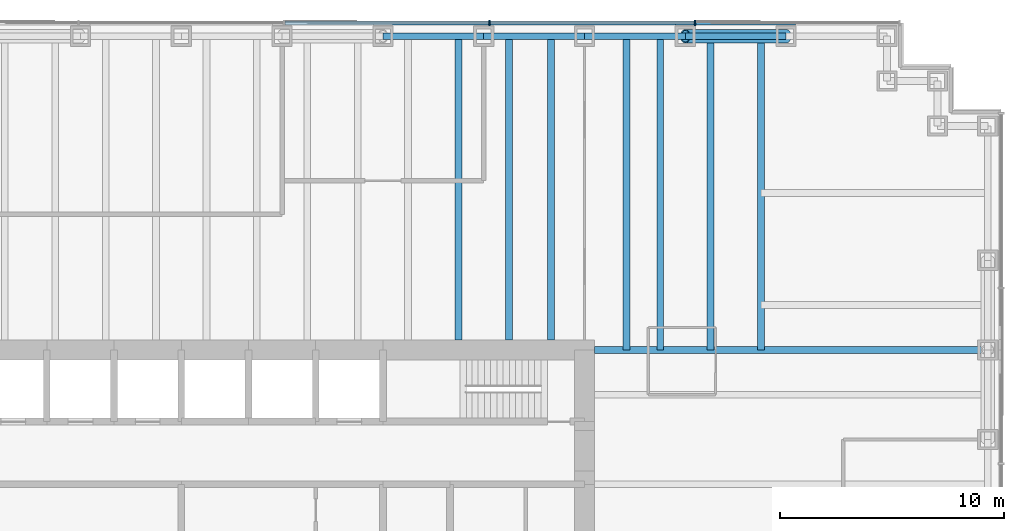
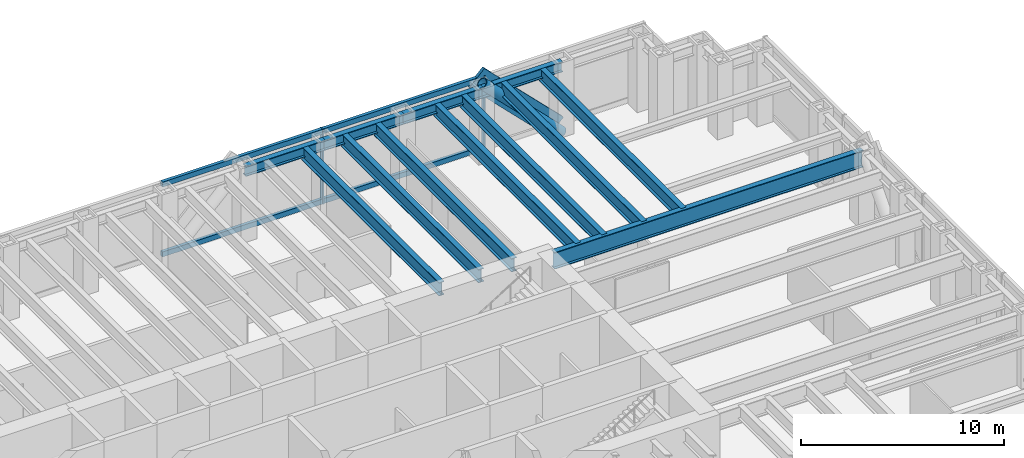
# One storey, part 6 of 13: 12 beams, 8 members, 1 element without a shape of its own.
"""IFC4 building model written with IfcOpenShell, lengths in metres."""

from ifc_helpers import new_model, si_unit, direction, frame, origin, origin_2d, place, context, subcontext, project, spatial, rectangle, hollow_circle, i_section, extrude, material, material_profile, profile_set, type_object, element, aggregate, save


model = new_model("IFC4")

# Units and contexts
model_context = context("Model", 3, precision=1e-05, world=origin(), true_north=direction((0.0, 1.0)))
body_context = subcontext(model_context, "Body", "Model", "MODEL_VIEW")
ifc_project = project(units=[si_unit("LENGTHUNIT", "METRE"), si_unit("AREAUNIT", "SQUARE_METRE"), si_unit("VOLUMEUNIT", "CUBIC_METRE"), si_unit("PLANEANGLEUNIT", "RADIAN"), si_unit("MASSUNIT", "GRAM", prefix="KILO")], contexts=[model_context])

# Site, building, storey
site_placement = place(None, origin())
site = spatial("IfcSite", under=ifc_project, at=site_placement, CompositionType="ELEMENT")
building_placement = place(site_placement, origin())
building = spatial("IfcBuilding", under=site, at=building_placement, Name="Rheinbord Bourse Tower", CompositionType="ELEMENT")
storey_placement = place(building_placement, frame((0.0, 0.0, 68.0)))
storey = spatial("IfcBuildingStorey", under=building, at=storey_placement, Name="L14", CompositionType="ELEMENT", Elevation=68.0)

# Curtain wall, members
ifc_material_1 = material(Name="Dark glass and black aluminium", Category="aluminium")
curtain_wall_type = type_object("IfcCurtainWallType", Name="CW1 DARK GLASS CURTAIN WALL", PredefinedType="USERDEFINED", material=ifc_material_1)
curtain_wall_placement = place(storey_placement, origin())
curtain_wall = element("IfcCurtainWall", 1, at=curtain_wall_placement, inside=storey, type_object=curtain_wall_type, Name="Curtain wall CW1 N L14", ObjectType="UNITISED CURTAIN WALL", PredefinedType="USERDEFINED")
ifc_material_2 = material(Name="Black anodised aluminium", Category="aluminium")
ifc_material_profile_1 = material_profile(ifc_material_2, rectangle(XDim=0.179931640625, YDim=1.2099609375, at=origin_2d()), Name="CW1 DIAGONAL MULLION 1210x180")
ifc_profile_set_1 = profile_set([ifc_material_profile_1], Name="Black anodised aluminium")
member_type_1 = type_object("IfcMemberType", Name="CW1 BLACK DIAGONAL MULLION", PredefinedType="USERDEFINED", material=ifc_profile_set_1)
member_1_placement = place(storey_placement, frame((63.0, 46.60009765625, 0.0), z_axis=(-0.707106781187, 0.0, 0.707106781187), x_axis=(0.0, -1.0, 0.0)))
member_1 = element("IfcMember", 2, at=member_1_placement, type_object=member_type_1, Name="CW1 diagonal mullion a", ObjectType="DIAGONAL MULLION", PredefinedType="USERDEFINED", context=body_context, shape_type="SweptSolid", body=[
    extrude(rectangle(XDim=0.179931640625, YDim=1.2099609375, at=origin_2d()), origin(), (0.0, 0.0, 1.0), 6.364013671875),
])
ifc_material_3 = material(Name="Black anodised aluminium", Category="aluminium")
ifc_material_profile_2 = material_profile(ifc_material_3, rectangle(XDim=0.25, YDim=0.080078125, at=origin_2d()), Name="CW1 MULLION 80x250")
ifc_profile_set_2 = profile_set([ifc_material_profile_2], Name="Black anodised aluminium")
member_type_2 = type_object("IfcMemberType", Name="CW1 BLACK MULLION", PredefinedType="MULLION", material=ifc_profile_set_2)
member_2_placement = place(storey_placement, frame((58.928466796875, 46.60009765625, 0.0), z_axis=(0.0, 0.0, 1.0), x_axis=(0.0, -1.0, 0.0)))
member_2 = element("IfcMember", 3, at=member_2_placement, type_object=member_type_2, Name="CW1 mullion 2", PredefinedType="MULLION", context=body_context, shape_type="SweptSolid", body=[
    extrude(rectangle(XDim=0.25, YDim=0.080078125, at=origin_2d()), origin(), (0.0, 0.0, 1.0), 4.5),
])
member_3_placement = place(storey_placement, frame((49.757080078125, 46.60009765625, 0.0), z_axis=(0.0, 0.0, 1.0), x_axis=(0.0, -1.0, 0.0)))
member_3 = element("IfcMember", 4, at=member_3_placement, type_object=member_type_2, Name="CW1 mullion 3", PredefinedType="MULLION", context=body_context, shape_type="SweptSolid", body=[
    extrude(rectangle(XDim=0.25, YDim=0.080078125, at=origin_2d()), origin(), (0.0, 0.0, 1.0), 4.5),
])
ifc_material_4 = material(Name="Black anodised aluminium", Category="aluminium")
ifc_material_profile_3 = material_profile(ifc_material_4, rectangle(XDim=0.179931640625, YDim=0.300048828125, at=origin_2d()), Name="CW1 TRANSOM 300x180")
ifc_profile_set_3 = profile_set([ifc_material_profile_3], Name="Black anodised aluminium")
member_type_3 = type_object("IfcMemberType", Name="CW1 BLACK TRANSOM", PredefinedType="USERDEFINED", material=ifc_profile_set_3)
member_4_placement = place(storey_placement, frame((58.888671875, 46.60009765625, 0.14990234375), z_axis=(-1.0, 0.0, 0.0), x_axis=(0.0, -1.0, 0.0)))
member_4 = element("IfcMember", 5, at=member_4_placement, type_object=member_type_3, Name="CW1 transom 2.1", ObjectType="TRANSOM", PredefinedType="USERDEFINED", context=body_context, shape_type="SweptSolid", body=[
    extrude(rectangle(XDim=0.179931640625, YDim=0.300048828125, at=origin_2d()), origin(), (0.0, 0.0, 1.0), 9.091552734375),
])
member_5_placement = place(storey_placement, frame((58.888671875, 46.60009765625, 4.35009765625), z_axis=(-1.0, 0.0, 0.0), x_axis=(0.0, -1.0, 0.0)))
member_5 = element("IfcMember", 6, at=member_5_placement, type_object=member_type_3, Name="CW1 transom 2.2", ObjectType="TRANSOM", PredefinedType="USERDEFINED", context=body_context, shape_type="SweptSolid", body=[
    extrude(rectangle(XDim=0.179931640625, YDim=0.300048828125, at=origin_2d()), origin(), (0.0, 0.0, 1.0), 9.091552734375),
])
member_6_placement = place(storey_placement, frame((49.717041015625, 46.60009765625, 0.14990234375), z_axis=(-1.0, 0.0, 0.0), x_axis=(0.0, -1.0, 0.0)))
member_6 = element("IfcMember", 7, at=member_6_placement, type_object=member_type_3, Name="CW1 transom 3.1", ObjectType="TRANSOM", PredefinedType="USERDEFINED", context=body_context, shape_type="SweptSolid", body=[
    extrude(rectangle(XDim=0.179931640625, YDim=0.300048828125, at=origin_2d()), origin(), (0.0, 0.0, 1.0), 9.09130859375),
])
member_7_placement = place(storey_placement, frame((49.717041015625, 46.60009765625, 4.35009765625), z_axis=(-1.0, 0.0, 0.0), x_axis=(0.0, -1.0, 0.0)))
member_7 = element("IfcMember", 8, at=member_7_placement, type_object=member_type_3, Name="CW1 transom 3.2", ObjectType="TRANSOM", PredefinedType="USERDEFINED", context=body_context, shape_type="SweptSolid", body=[
    extrude(rectangle(XDim=0.179931640625, YDim=0.300048828125, at=origin_2d()), origin(), (0.0, 0.0, 1.0), 9.09130859375),
])
aggregate(curtain_wall, [member_2, member_3, member_4, member_5, member_6, member_7, member_1])

# Beams
ifc_material_5 = material(Name="Steel S460", Category="steel")
ifc_material_profile_4 = material_profile(ifc_material_5, i_section(OverallWidth=0.300048828125, OverallDepth=0.800048828125, WebThickness=0.017578125, FlangeThickness=0.032958984375, at=origin_2d()), Name="HEB 800")
ifc_profile_set_4 = profile_set([ifc_material_profile_4], Name="Steel S460")
beam_type_1 = type_object("IfcBeamType", Name="FLOOR BEAM HEB 800", PredefinedType="BEAM", material=ifc_profile_set_4)
for number, where, z_axis, x_axis, name in (
    (9, (48.375, 46.0, 3.919921875), (0.0, -1.0, 0.0), (1.0, 0.0, 0.0), "Floor beam N-45b L15"),
    (10, (50.625, 46.0, 3.919921875), (0.0, -1.0, 0.0), (1.0, 0.0, 0.0), "Floor beam N-49.5a L15"),
    (11, (52.5, 46.0, 3.919921875), (0.0, -1.0, 0.0), (1.0, 0.0, 0.0), "Floor beam N-49.5b L15"),
):
    element("IfcBeam", number, at=place(storey_placement, frame(where, z_axis=z_axis, x_axis=x_axis)), inside=storey, type_object=beam_type_1, Name=name, PredefinedType="BEAM", context=body_context, shape_type="SweptSolid", body=[
        extrude(i_section(OverallWidth=0.300048828125, OverallDepth=0.800048828125, WebThickness=0.017578125, FlangeThickness=0.032958984375, at=origin_2d()), origin(), (0.0, 0.0, 1.0), 13.550048828125),
    ])
for number, where, z_axis, x_axis, name in (
    (12, (55.875, 46.0, 3.919921875), (0.0, -1.0, 0.0), (1.0, 0.0, 0.0), "Floor beam N-54a L15"),
    (13, (57.375, 46.0, 3.919921875), (0.0, -1.0, 0.0), (1.0, 0.0, 0.0), "Floor beam N-54b L15"),
    (14, (59.625, 46.0, 3.919921875), (0.0, -1.0, 0.0), (1.0, 0.0, 0.0), "Floor beam N-58.5a L15"),
    (15, (61.875, 46.0, 3.919921875), (0.0, -1.0, 0.0), (1.0, 0.0, 0.0), "Floor beam N-58.5b L15"),
):
    element("IfcBeam", number, at=place(storey_placement, frame(where, z_axis=z_axis, x_axis=x_axis)), inside=storey, type_object=beam_type_1, Name=name, PredefinedType="BEAM", context=body_context, shape_type="SweptSolid", body=[
        extrude(i_section(OverallWidth=0.300048828125, OverallDepth=0.800048828125, WebThickness=0.017578125, FlangeThickness=0.032958984375, at=origin_2d()), origin(), (0.0, 0.0, 1.0), 14.0),
    ])
ifc_material_6 = material(Name="Steel S460", Category="steel")
ifc_material_profile_5 = material_profile(ifc_material_6, i_section(OverallWidth=0.302001953125, OverallDepth=1.008056640625, WebThickness=0.02099609375, FlangeThickness=0.0400390625, at=origin_2d()), Name="HEM 1000")
ifc_profile_set_5 = profile_set([ifc_material_profile_5], Name="Steel S460")
beam_type_2 = type_object("IfcBeamType", Name="GIRDER HEM 1000", PredefinedType="BEAM", material=ifc_profile_set_5)
beam_placement = place(storey_placement, frame((54.449951171875, 32.0, 3.81591796875), z_axis=(1.0, 0.0, 0.0), x_axis=(0.0, 1.0, 0.0)))
element("IfcBeam", 16, at=beam_placement, inside=storey, type_object=beam_type_2, Name="Girder east 32 L15", PredefinedType="BEAM", context=body_context, shape_type="SweptSolid", body=[
    extrude(i_section(OverallWidth=0.302001953125, OverallDepth=1.008056640625, WebThickness=0.02099609375, FlangeThickness=0.0400390625, at=origin_2d()), origin(), (0.0, 0.0, 1.0), 17.550048828125),
])

# Member
ifc_material_7 = material(Name="Steel S460", Category="steel")
ifc_material_profile_6 = material_profile(ifc_material_7, hollow_circle(Radius=0.304931640625, WallThickness=0.050048828125, at=origin_2d()), Name="CHS 610x50")
ifc_profile_set_6 = profile_set([ifc_material_profile_6], Name="Steel S460")
member_type_4 = type_object("IfcMemberType", Name="MEGABRACE CHS 610x50", PredefinedType="BRACE", material=ifc_profile_set_6)
member_8_placement = place(storey_placement, frame((63.0, 46.0, 0.0), z_axis=(-0.707106781187, 0.0, 0.707106781187), x_axis=(0.0, -1.0, 0.0)))
element("IfcMember", 17, at=member_8_placement, inside=storey, type_object=member_type_4, Name="Megabrace N face line a L14", PredefinedType="BRACE", context=body_context, shape_type="SweptSolid", body=[
    extrude(hollow_circle(Radius=0.304931640625, WallThickness=0.050048828125, at=origin_2d()), origin(), (0.0, 0.0, 1.0), 6.364013671875),
])

# Beams
ifc_material_8 = material(Name="Steel S460", Category="steel")
ifc_material_profile_7 = material_profile(ifc_material_8, i_section(OverallWidth=0.304931640625, OverallDepth=0.6201171875, WebThickness=0.02099609375, FlangeThickness=0.0400390625, at=origin_2d()), Name="HEM 600")
ifc_profile_set_7 = profile_set([ifc_material_profile_7], Name="Steel S460")
beam_type_3 = type_object("IfcBeamType", Name="SPANDREL HEM 600", PredefinedType="SPANDREL", material=ifc_profile_set_7)
for number, where, z_axis, x_axis, name in (
    (18, (63.0, 46.0, 4.010009765625), (-1.0, 0.0, 0.0), (0.0, -1.0, 0.0), "Spandrel N-63-N-58.5 under L15"),
    (19, (58.5, 46.0, 4.010009765625), (-1.0, 0.0, 0.0), (0.0, -1.0, 0.0), "Spandrel N-58.5-N-54 under L15"),
    (20, (54.0, 46.0, 4.010009765625), (-1.0, 0.0, 0.0), (0.0, -1.0, 0.0), "Spandrel N-54-N-49.5 under L15"),
    (21, (49.5, 46.0, 4.010009765625), (-1.0, 0.0, 0.0), (0.0, -1.0, 0.0), "Spandrel N-49.5-N-45 under L15"),
):
    element("IfcBeam", number, at=place(storey_placement, frame(where, z_axis=z_axis, x_axis=x_axis)), inside=storey, type_object=beam_type_3, Name=name, PredefinedType="SPANDREL", context=body_context, shape_type="SweptSolid", body=[
        extrude(i_section(OverallWidth=0.304931640625, OverallDepth=0.6201171875, WebThickness=0.02099609375, FlangeThickness=0.0400390625, at=origin_2d()), origin(), (0.0, 0.0, 1.0), 4.5),
    ])

save(model, "model.ifc")
